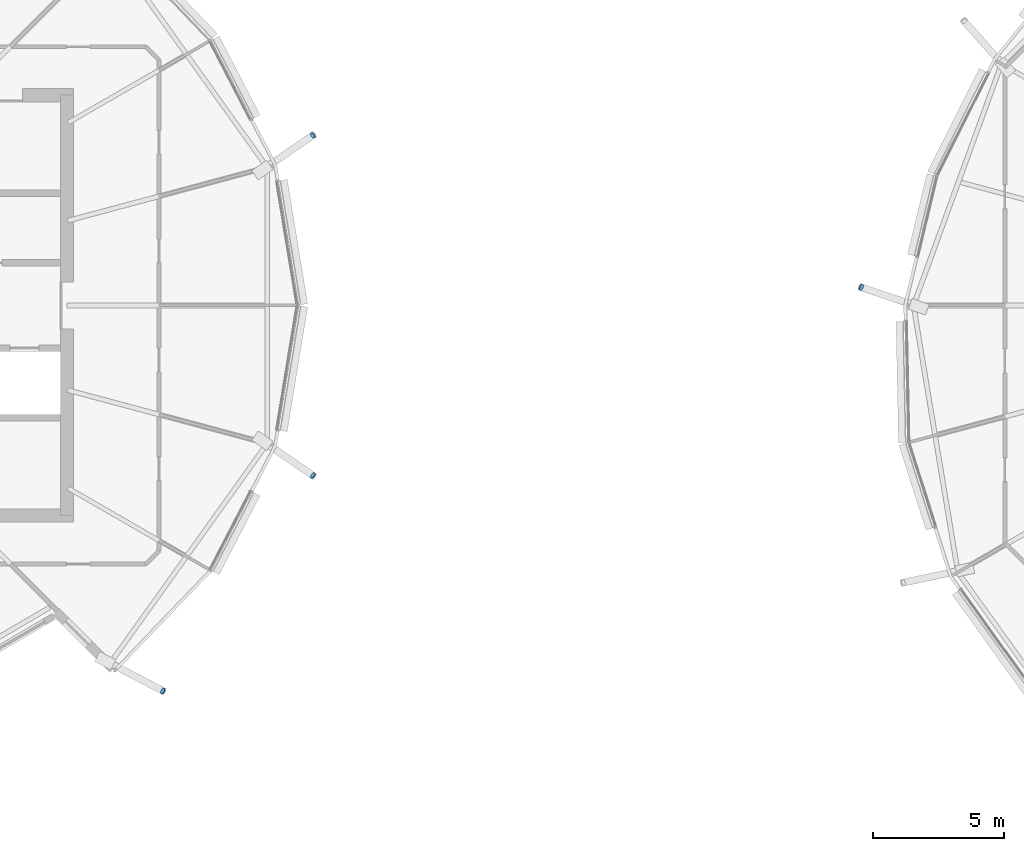
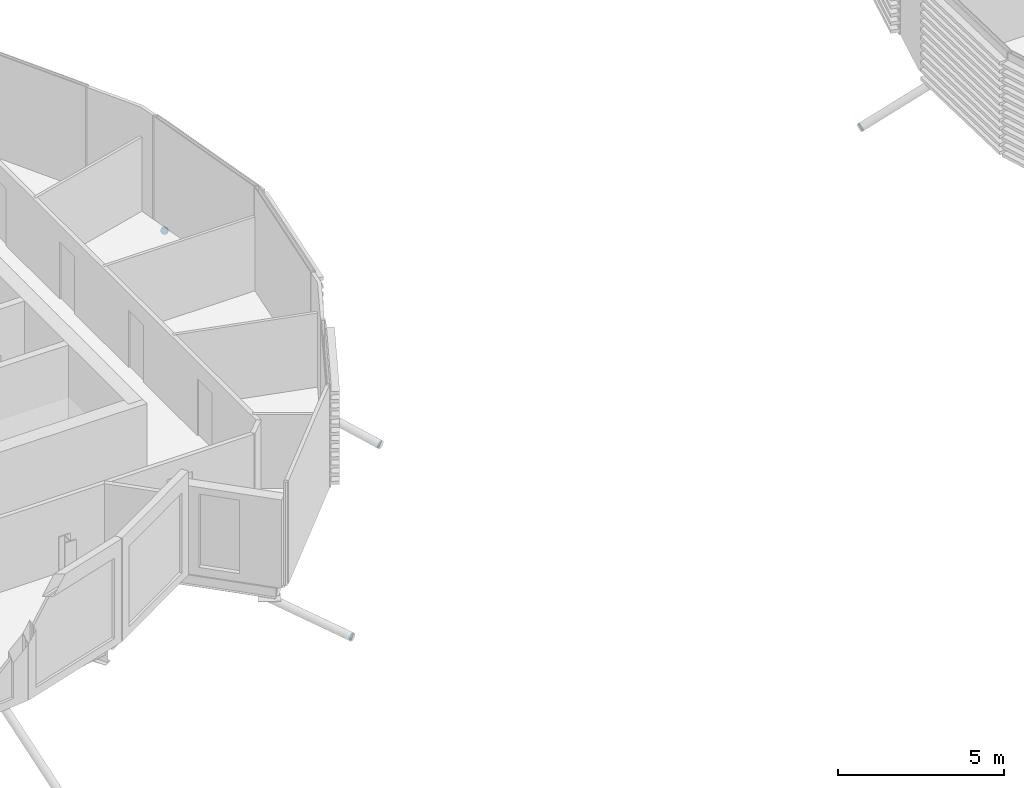
# One storey, part 24 of 35: 4 discrete accessories.
"""IFC4 building model written with IfcOpenShell, lengths in metres."""

import ifcopenshell
import ifcopenshell.guid

model = None  # the IFC model being written
_history = None  # IfcOwnerHistory: only IFC2X3 demands one
_inside = {}  # id of a spatial element -> (the spatial element, [elements in it])
_under = {}  # id of a project, library or spatial element -> (it, [spatial elements below it])
_declared = {}  # id of a project -> (the project, [libraries it declares])
_typed = {}  # id of a type object -> (the type object, [elements of that type])
_made_of = {}  # id of a material, layer set ... -> (it, [elements and type objects made of it])


def new_model(schema):
    """Start an empty IFC model of exactly this schema.

    Asked for "IFC4X3", IfcOpenShell would pick the latest addendum, in which some entities
    have other attributes; the version numbers below select the first issue.
    IFC2X3 requires an IfcOwnerHistory on every rooted entity: one is made here for all.
    """
    global model, _history
    if schema == "IFC4X3":
        model = ifcopenshell.file(schema_version=(4, 3, 0, 0))
    else:
        model = ifcopenshell.file(schema=schema)
    _inside.clear()
    _under.clear()
    _declared.clear()
    _typed.clear()
    _made_of.clear()
    _history = None
    if model.schema == "IFC2X3":
        org = make("IfcOrganization", Name="unknown")
        user = make(
            "IfcPersonAndOrganization",
            ThePerson=make("IfcPerson", FamilyName="unknown"),
            TheOrganization=org,
        )
        app = make(
            "IfcApplication",
            ApplicationDeveloper=org,
            Version="unknown",
            ApplicationFullName="unknown",
            ApplicationIdentifier="unknown",
        )
        _history = make(
            "IfcOwnerHistory",
            OwningUser=user,
            OwningApplication=app,
            ChangeAction="ADDED",
            CreationDate=0,
        )
    return model


def make(cls, **values):
    """One entity of the class cls with the attributes given. An attribute that is None is left unset."""
    return model.create_entity(
        cls, **{name: value for name, value in values.items() if value is not None}
    )


def rooted(cls, **values):
    """An entity with a GlobalId (a new one), such as an element, a storey or a relation."""
    return make(cls, GlobalId=ifcopenshell.guid.new(), OwnerHistory=_history, **values)


def si_unit(unit_type, name, prefix=None):
    """IfcSIUnit, for example si_unit("LENGTHUNIT", "METRE", prefix="MILLI")."""
    return make("IfcSIUnit", UnitType=unit_type, Prefix=prefix, Name=name)


def assignment(units):
    """IfcUnitAssignment: the units of a project."""
    return None if units is None else make("IfcUnitAssignment", Units=units)


def point(xyz):
    """IfcCartesianPoint."""
    return None if xyz is None else make("IfcCartesianPoint", Coordinates=xyz)


def direction(xyz):
    """IfcDirection."""
    return None if xyz is None else make("IfcDirection", DirectionRatios=xyz)


def frame(location, z_axis=None, x_axis=None):
    """IfcAxis2Placement3D, a coordinate frame: its origin and axes. An axis left out is left unset."""
    return make(
        "IfcAxis2Placement3D",
        Location=point(location),
        Axis=direction(z_axis),
        RefDirection=direction(x_axis),
    )


def frame_2d(location, x_axis=None):
    """IfcAxis2Placement2D, a coordinate frame in the plane: its origin and x axis."""
    return make(
        "IfcAxis2Placement2D", Location=point(location), RefDirection=direction(x_axis)
    )


def origin():
    """The frame at (0, 0, 0) with its axes left unset."""
    return frame((0.0, 0.0, 0.0))


def origin_2d():
    """The frame at (0, 0) in the plane with its x axis left unset."""
    return frame_2d((0.0, 0.0))


def place(relative_to, where):
    """IfcLocalPlacement: puts the frame where relative to a parent placement (None: the world)."""
    return make(
        "IfcLocalPlacement", PlacementRelTo=relative_to, RelativePlacement=where
    )


def context(
    kind, dimensions, precision=None, world=None, true_north=None, identifier=None
):
    """IfcGeometricRepresentationContext, for example the 3D "Model" context."""
    return make(
        "IfcGeometricRepresentationContext",
        ContextIdentifier=identifier,
        ContextType=kind,
        CoordinateSpaceDimension=dimensions,
        Precision=precision,
        WorldCoordinateSystem=world,
        TrueNorth=true_north,
    )


def subcontext(parent, identifier, kind, view, scale=None):
    """IfcGeometricRepresentationSubContext, for example "Body" below "Model"."""
    return make(
        "IfcGeometricRepresentationSubContext",
        ContextIdentifier=identifier,
        ContextType=kind,
        ParentContext=parent,
        TargetScale=scale,
        TargetView=view,
    )


def project(units=None, contexts=None):
    """IfcProject with its units and contexts."""
    return rooted(
        "IfcProject",
        Name="project",
        RepresentationContexts=contexts,
        UnitsInContext=assignment(units),
    )


def spatial(cls, under=None, at=None, **own):
    """A site, building, storey or space (cls), placed at a placement, below another one or the project."""
    s = rooted(cls, ObjectPlacement=at, **own)
    if under is not None:
        _under.setdefault(under.id(), (under, []))[1].append(s)
    return s


def profile(cls, at=None, kind="AREA", **sizes):
    """A parametric profile (cls). Its sizes go by their IFC names, for example OverallWidth=200.0."""
    return make(cls, ProfileType=kind, Position=at, **sizes)


def circle(**sizes):
    """IfcCircleProfileDef."""
    return profile("IfcCircleProfileDef", **sizes)


def extrude(swept, where, along, depth):
    """IfcExtrudedAreaSolid: the profile swept, set in the frame where, extruded along a direction by depth."""
    return make(
        "IfcExtrudedAreaSolid",
        SweptArea=swept,
        Position=where,
        ExtrudedDirection=direction(along),
        Depth=depth,
    )


def shape(context_of_items, identifier, shape_type, items):
    """IfcShapeRepresentation: the items that make up one representation, for example the "Body"."""
    return make(
        "IfcShapeRepresentation",
        ContextOfItems=context_of_items,
        RepresentationIdentifier=identifier,
        RepresentationType=shape_type,
        Items=items,
    )


def material(Name=None, Category=None):
    """IfcMaterial."""
    return make("IfcMaterial", Name=Name, Category=Category)


def material_profile(
    of_material, cross_section, Name=None, Category=None, Priority=None
):
    """IfcMaterialProfile: a cross section and its material."""
    return make(
        "IfcMaterialProfile",
        Name=Name,
        Material=of_material,
        Profile=cross_section,
        Priority=Priority,
        Category=Category,
    )


def profile_set(profiles, Name=None, composite=None):
    """IfcMaterialProfileSet."""
    return make(
        "IfcMaterialProfileSet",
        Name=Name,
        MaterialProfiles=profiles,
        CompositeProfile=composite,
    )


def made_of(thing, what):
    """Note that an element or type object is made of a material, layer set ...; save() writes the relation."""
    if what is not None:
        _made_of.setdefault(what.id(), (what, []))[1].append(thing)
    return thing


def type_object(cls, material=None, **own):
    """A type object (cls), such as IfcWallType, which elements share."""
    return made_of(rooted(cls, **own), material)


def element(
    cls,
    number,
    at=None,
    inside=None,
    cuts=None,
    type_object=None,
    material=None,
    context=None,
    identifier="Body",
    shape_type=None,
    held_by="IfcProductDefinitionShape",
    body=None,
    shapes=None,
    **own,
):
    """One element of the class cls, such as IfcWall. Its Tag is "e" and its number.

    at: its placement. inside: the storey or other place that contains it. cuts: it is an
    opening in that element (IfcRelVoidsElement). A single representation is given by context,
    identifier, shape_type and body (its items); several are given by shapes. held_by: the class
    of the entity that holds the representations. save() writes the other relations.
    """
    e = rooted(cls, Tag="e%d" % number, ObjectPlacement=at, **own)
    if body is not None:
        shapes = [shape(context, identifier, shape_type, body)]
    if shapes is not None:
        e.Representation = make(held_by, Representations=shapes)
    if inside is not None:
        _inside.setdefault(inside.id(), (inside, []))[1].append(e)
    if cuts is not None:
        rooted(
            "IfcRelVoidsElement", RelatingBuildingElement=cuts, RelatedOpeningElement=e
        )
    if type_object is not None:
        _typed.setdefault(type_object.id(), (type_object, []))[1].append(e)
    return made_of(e, material)


def aggregate(whole, parts):
    """IfcRelAggregates: a whole, such as a stair, and the parts it consists of."""
    return rooted("IfcRelAggregates", RelatingObject=whole, RelatedObjects=parts)


def save(model, path):
    """Write the relations noted so far, then the file.

    IfcRelAggregates (storeys below a building ...), IfcRelContainedInSpatialStructure (elements
    in a storey), IfcRelDefinesByType, IfcRelAssociatesMaterial and IfcRelDeclares: one each for
    every whole, place, type object, material and project.
    """
    for whole, parts in _under.values():
        aggregate(whole, parts)
    for where, things in _inside.values():
        rooted(
            "IfcRelContainedInSpatialStructure",
            RelatedElements=things,
            RelatingStructure=where,
        )
    for kind, things in _typed.values():
        rooted("IfcRelDefinesByType", RelatedObjects=things, RelatingType=kind)
    for what, things in _made_of.values():
        rooted("IfcRelAssociatesMaterial", RelatedObjects=things, RelatingMaterial=what)
    for by, libraries in _declared.values():
        rooted("IfcRelDeclares", RelatingContext=by, RelatedDefinitions=libraries)
    model.write(path)


model = new_model("IFC4")

# Units and contexts
model_context = context("Model", 3, precision=1e-05, world=origin(), true_north=direction((0.0, 1.0)))
body_context = subcontext(model_context, "Body", "Model", "MODEL_VIEW")
ifc_project = project(units=[si_unit("LENGTHUNIT", "METRE"), si_unit("AREAUNIT", "SQUARE_METRE"), si_unit("VOLUMEUNIT", "CUBIC_METRE"), si_unit("PLANEANGLEUNIT", "RADIAN"), si_unit("MASSUNIT", "GRAM", prefix="KILO")], contexts=[model_context])

# Site, building, storey
site_placement = place(None, origin())
site = spatial("IfcSite", under=ifc_project, at=site_placement, CompositionType="ELEMENT")
building_placement = place(site_placement, origin())
building = spatial("IfcBuilding", under=site, at=building_placement, Name="Rimbun Link Towers", CompositionType="ELEMENT")
storey_placement = place(building_placement, frame((0.0, 0.0, 225.699951171875)))
storey = spatial("IfcBuildingStorey", under=building, at=storey_placement, Name="L55", CompositionType="ELEMENT", Elevation=225.699951171875)

# Discrete accessories
ifc_material = material(Name="Steel S355J2H", Category="steel")
ifc_material_profile = material_profile(ifc_material, circle(Radius=0.1240234375, at=origin_2d()), Name="PL D248")
ifc_profile_set = profile_set([ifc_material_profile], Name="Steel S355J2H")
discrete_accessory_type = type_object("IfcDiscreteAccessoryType", Name="Link foot sealing plate D248X20", PredefinedType="BRACKET", material=ifc_profile_set)
discrete_accessory_1_placement = place(storey_placement, frame((-10.398193359375, 6.469970703125, -1.953369140625), z_axis=(0.702681952045, 0.48460824279, -0.520953860999), x_axis=(-0.567732955804, 0.823212785915, 0.0)))
element("IfcDiscreteAccessory", 1, at=discrete_accessory_1_placement, inside=storey, type_object=discrete_accessory_type, Name="Link foot sealing plate T1 L55 01", PredefinedType="BRACKET", context=body_context, shape_type="SweptSolid", body=[
    extrude(circle(Radius=0.1240234375, at=origin_2d()), origin(), (0.0, 0.0, 1.0), 0.020263671875),
])
discrete_accessory_2_placement = place(storey_placement, frame((-16.108642578125, -14.667236328125, -2.059326171875), z_axis=(0.76132384224, -0.39294133793, -0.515735506033), x_axis=(0.45864291977, 0.888620657055, 0.0)))
element("IfcDiscreteAccessory", 2, at=discrete_accessory_2_placement, inside=storey, type_object=discrete_accessory_type, Name="Link foot sealing plate T1 L55 21", PredefinedType="BRACKET", context=body_context, shape_type="SweptSolid", body=[
    extrude(circle(Radius=0.1240234375, at=origin_2d()), origin(), (0.0, 0.0, 1.0), 0.019775390625),
])
discrete_accessory_3_placement = place(storey_placement, frame((-10.398193359375, -6.469970703125, -1.953369140625), z_axis=(0.702681952045, -0.48460824279, -0.520953860999), x_axis=(0.567732955804, 0.823212785915, 0.0)))
element("IfcDiscreteAccessory", 3, at=discrete_accessory_3_placement, inside=storey, type_object=discrete_accessory_type, Name="Link foot sealing plate T1 L55 23", PredefinedType="BRACKET", context=body_context, shape_type="SweptSolid", body=[
    extrude(circle(Radius=0.1240234375, at=origin_2d()), origin(), (0.0, 0.0, 1.0), 0.020263671875),
])
discrete_accessory_4_placement = place(storey_placement, frame((10.490234375, 0.685791015625, -1.949951171875), z_axis=(-0.804280204199, 0.2802794651, -0.524000739099), x_axis=(-0.32907550163, -0.944303613372, 0.0)))
element("IfcDiscreteAccessory", 4, at=discrete_accessory_4_placement, inside=storey, type_object=discrete_accessory_type, Name="Link foot sealing plate T2 L55 09", PredefinedType="BRACKET", context=body_context, shape_type="SweptSolid", body=[
    extrude(circle(Radius=0.1240234375, at=origin_2d()), origin(), (0.0, 0.0, 1.0), 0.02001953125),
])

save(model, "model.ifc")
